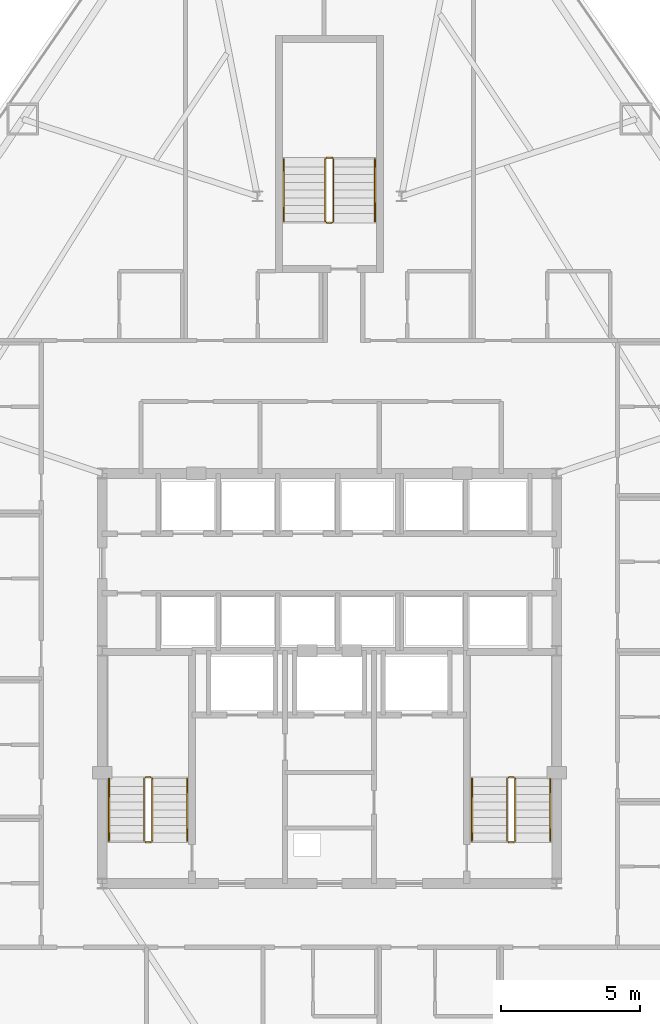
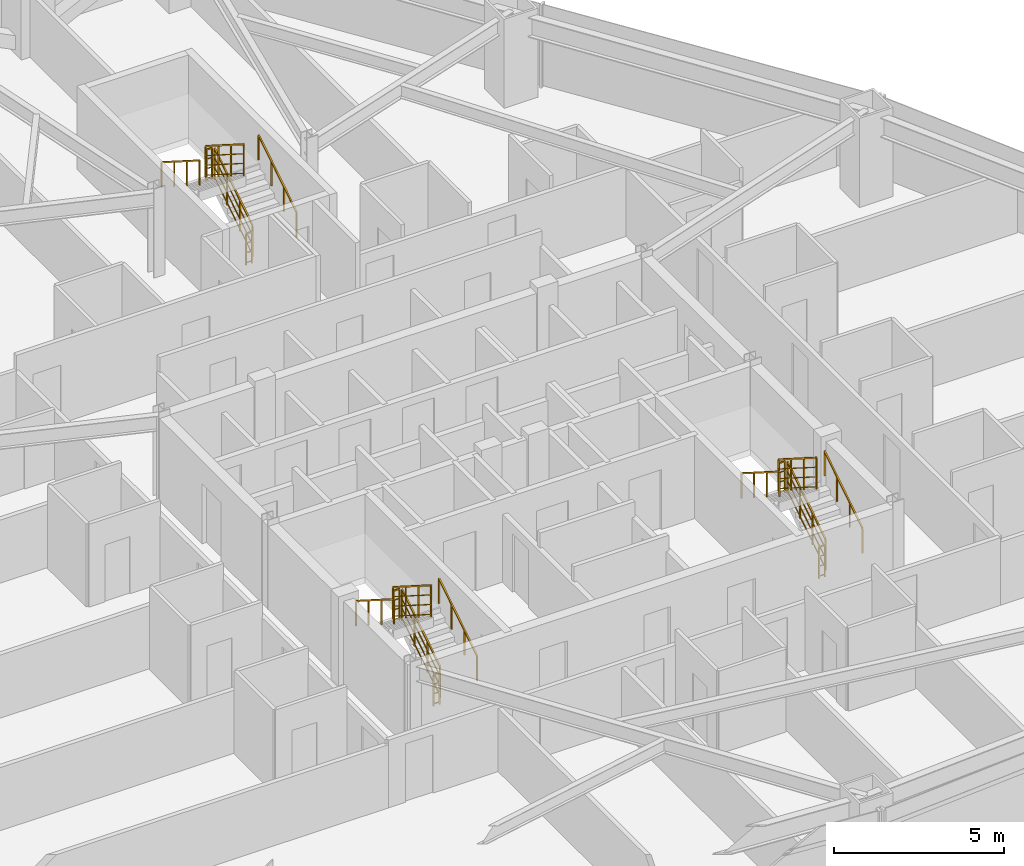
# One storey, part 13 of 13: 18 railings.
"""IFC4 building model written with IfcOpenShell, lengths in metres."""

from ifc_helpers import new_model, si_unit, direction, frame, origin, origin_2d, place, context, subcontext, project, spatial, rectangle, extrude, material, type_object, element, save


model = new_model("IFC4")

# Units and contexts
model_context = context("Model", 3, precision=1e-05, world=origin(), true_north=direction((0.0, 1.0)))
body_context = subcontext(model_context, "Body", "Model", "MODEL_VIEW")
ifc_project = project(units=[si_unit("LENGTHUNIT", "METRE"), si_unit("AREAUNIT", "SQUARE_METRE"), si_unit("VOLUMEUNIT", "CUBIC_METRE"), si_unit("PLANEANGLEUNIT", "RADIAN"), si_unit("MASSUNIT", "GRAM", prefix="KILO")], contexts=[model_context])

# Site, building, storey
site_placement = place(None, origin())
site = spatial("IfcSite", under=ifc_project, at=site_placement, CompositionType="ELEMENT")
building_placement = place(site_placement, origin())
building = spatial("IfcBuilding", under=site, at=building_placement, Name="Varakhsha Concourse Tower", CompositionType="ELEMENT")
storey_placement = place(building_placement, frame((0.0, 0.0, 49.60009765625)))
storey = spatial("IfcBuildingStorey", under=building, at=storey_placement, Name="L13", CompositionType="ELEMENT", Elevation=49.60009765625)

# Railings
ifc_material = material(Name="Brushed Austenitic Stainless Steel AISI 316", Category="steel")
railing_type_1 = type_object("IfcRailingType", Name="RL-STAIR-GUARD-1100", PredefinedType="GUARDRAIL", material=ifc_material)
railing_1_placement = place(storey_placement, frame((33.610107421875, 17.93994140625, 0.177734375)))
element("IfcRailing", 1, at=railing_1_placement, inside=storey, type_object=railing_type_1, Name="L13 ST1 stair guard 1", PredefinedType="GUARDRAIL", context=body_context, shape_type="SweptSolid", body=[
    extrude(rectangle(XDim=0.048095703125, YDim=0.048095703125, at=origin_2d()), frame((0.0, 0.0, 1.1259765625), z_axis=(0.0, 0.8442293374, 0.53598211339), x_axis=(-1.0, 0.0, 0.0)), (0.0, 0.0, 1.0), 2.6533203125),
    extrude(rectangle(XDim=0.028076171875, YDim=0.028076171875, at=origin_2d()), frame((0.0, 0.0, 0.080078125), z_axis=(0.0, 0.8442293374, 0.53598211339), x_axis=(-1.0, 0.0, 0.0)), (0.0, 0.0, 1.0), 2.6533203125),
    extrude(rectangle(XDim=0.028076171875, YDim=0.028076171875, at=origin_2d()), frame((0.0, 0.0, 0.43701171875), z_axis=(0.0, 0.8442293374, 0.53598211339), x_axis=(-1.0, 0.0, 0.0)), (0.0, 0.0, 1.0), 2.6533203125),
    extrude(rectangle(XDim=0.028076171875, YDim=0.028076171875, at=origin_2d()), frame((0.0, 0.0, 0.781982421875), z_axis=(0.0, 0.8442293374, 0.53598211339), x_axis=(-1.0, 0.0, 0.0)), (0.0, 0.0, 1.0), 2.6533203125),
    extrude(rectangle(XDim=0.0419921875, YDim=0.0419921875, at=origin_2d()), origin(), (0.0, 0.0, 1.0), 1.101806640625),
    extrude(rectangle(XDim=0.0419921875, YDim=0.0419921875, at=origin_2d()), frame((0.0, 0.74658203125, 0.47412109375)), (0.0, 0.0, 1.0), 1.101806640625),
    extrude(rectangle(XDim=0.0419921875, YDim=0.0419921875, at=origin_2d()), frame((0.0, 1.493408203125, 0.947998046875)), (0.0, 0.0, 1.0), 1.101806640625),
    extrude(rectangle(XDim=0.0419921875, YDim=0.0419921875, at=origin_2d()), frame((0.0, 2.239990234375, 1.422119140625)), (0.0, 0.0, 1.0), 1.101806640625),
])
railing_2_placement = place(storey_placement, frame((33.56005859375, 20.22998046875, 1.599853515625)))
element("IfcRailing", 2, at=railing_2_placement, inside=storey, type_object=railing_type_1, Name="L13 ST1 stair guard 2", PredefinedType="GUARDRAIL", context=body_context, shape_type="SweptSolid", body=[
    extrude(rectangle(XDim=0.048095703125, YDim=0.048095703125, at=origin_2d()), frame((0.0, 0.0, 1.1259765625), z_axis=(-1.0, 0.0, 0.0), x_axis=(0.0, -1.0, 0.0)), (0.0, 0.0, 1.0), 0.199951171875),
    extrude(rectangle(XDim=0.028076171875, YDim=0.028076171875, at=origin_2d()), frame((0.0, 0.0, 0.080078125), z_axis=(-1.0, 0.0, 0.0), x_axis=(0.0, -1.0, 0.0)), (0.0, 0.0, 1.0), 0.199951171875),
    extrude(rectangle(XDim=0.028076171875, YDim=0.028076171875, at=origin_2d()), frame((0.0, 0.0, 0.43701171875), z_axis=(-1.0, 0.0, 0.0), x_axis=(0.0, -1.0, 0.0)), (0.0, 0.0, 1.0), 0.199951171875),
    extrude(rectangle(XDim=0.028076171875, YDim=0.028076171875, at=origin_2d()), frame((0.0, 0.0, 0.781982421875), z_axis=(-1.0, 0.0, 0.0), x_axis=(0.0, -1.0, 0.0)), (0.0, 0.0, 1.0), 0.199951171875),
    extrude(rectangle(XDim=0.0419921875, YDim=0.0419921875, at=origin_2d()), origin(), (0.0, 0.0, 1.0), 1.101806640625),
    extrude(rectangle(XDim=0.0419921875, YDim=0.0419921875, at=origin_2d()), frame((-0.199951171875, 0.0, 0.0)), (0.0, 0.0, 1.0), 1.101806640625),
])
railing_3_placement = place(storey_placement, frame((33.31005859375, 20.179931640625, 1.777587890625)))
element("IfcRailing", 3, at=railing_3_placement, inside=storey, type_object=railing_type_1, Name="L13 ST1 stair guard 3", PredefinedType="GUARDRAIL", context=body_context, shape_type="SweptSolid", body=[
    extrude(rectangle(XDim=0.048095703125, YDim=0.048095703125, at=origin_2d()), frame((0.0, 0.0, 1.1259765625), z_axis=(0.0, -0.84418770128, 0.536047689118), x_axis=(1.0, 0.0, 0.0)), (0.0, 0.0, 1.0), 2.6533203125),
    extrude(rectangle(XDim=0.028076171875, YDim=0.028076171875, at=origin_2d()), frame((0.0, 0.0, 0.080078125), z_axis=(0.0, -0.84418770128, 0.536047689118), x_axis=(1.0, 0.0, 0.0)), (0.0, 0.0, 1.0), 2.6533203125),
    extrude(rectangle(XDim=0.028076171875, YDim=0.028076171875, at=origin_2d()), frame((0.0, 0.0, 0.43701171875), z_axis=(0.0, -0.84418770128, 0.536047689118), x_axis=(1.0, 0.0, 0.0)), (0.0, 0.0, 1.0), 2.6533203125),
    extrude(rectangle(XDim=0.028076171875, YDim=0.028076171875, at=origin_2d()), frame((0.0, 0.0, 0.781982421875), z_axis=(0.0, -0.84418770128, 0.536047689118), x_axis=(1.0, 0.0, 0.0)), (0.0, 0.0, 1.0), 2.6533203125),
    extrude(rectangle(XDim=0.0419921875, YDim=0.0419921875, at=origin_2d()), origin(), (0.0, 0.0, 1.0), 1.101806640625),
    extrude(rectangle(XDim=0.0419921875, YDim=0.0419921875, at=origin_2d()), frame((0.0, -0.74658203125, 0.47412109375)), (0.0, 0.0, 1.0), 1.101806640625),
    extrude(rectangle(XDim=0.0419921875, YDim=0.0419921875, at=origin_2d()), frame((0.0, -1.493408203125, 0.9482421875)), (0.0, 0.0, 1.0), 1.101806640625),
    extrude(rectangle(XDim=0.0419921875, YDim=0.0419921875, at=origin_2d()), frame((0.0, -2.239990234375, 1.42236328125)), (0.0, 0.0, 1.0), 1.101806640625),
])
railing_4_placement = place(storey_placement, frame((33.56005859375, 17.889892578125, 0.0)))
element("IfcRailing", 4, at=railing_4_placement, inside=storey, type_object=railing_type_1, Name="L13 ST1 stair guard 4", PredefinedType="GUARDRAIL", context=body_context, shape_type="SweptSolid", body=[
    extrude(rectangle(XDim=0.048095703125, YDim=0.048095703125, at=origin_2d()), frame((0.0, 0.0, 1.1259765625), z_axis=(-1.0, 0.0, 0.0), x_axis=(0.0, -1.0, 0.0)), (0.0, 0.0, 1.0), 0.199951171875),
    extrude(rectangle(XDim=0.028076171875, YDim=0.028076171875, at=origin_2d()), frame((0.0, 0.0, 0.080078125), z_axis=(-1.0, 0.0, 0.0), x_axis=(0.0, -1.0, 0.0)), (0.0, 0.0, 1.0), 0.199951171875),
    extrude(rectangle(XDim=0.028076171875, YDim=0.028076171875, at=origin_2d()), frame((0.0, 0.0, 0.43701171875), z_axis=(-1.0, 0.0, 0.0), x_axis=(0.0, -1.0, 0.0)), (0.0, 0.0, 1.0), 0.199951171875),
    extrude(rectangle(XDim=0.028076171875, YDim=0.028076171875, at=origin_2d()), frame((0.0, 0.0, 0.781982421875), z_axis=(-1.0, 0.0, 0.0), x_axis=(0.0, -1.0, 0.0)), (0.0, 0.0, 1.0), 0.199951171875),
    extrude(rectangle(XDim=0.0419921875, YDim=0.0419921875, at=origin_2d()), origin(), (0.0, 0.0, 1.0), 1.101806640625),
    extrude(rectangle(XDim=0.0419921875, YDim=0.0419921875, at=origin_2d()), frame((-0.199951171875, 0.0, 0.0)), (0.0, 0.0, 1.0), 1.101806640625),
])
railing_5_placement = place(storey_placement, frame((46.7099609375, 17.93994140625, 0.177734375)))
element("IfcRailing", 5, at=railing_5_placement, inside=storey, type_object=railing_type_1, Name="L13 ST2 stair guard 1", PredefinedType="GUARDRAIL", context=body_context, shape_type="SweptSolid", body=[
    extrude(rectangle(XDim=0.048095703125, YDim=0.048095703125, at=origin_2d()), frame((0.0, 0.0, 1.1259765625), z_axis=(0.0, 0.8442293374, 0.53598211339), x_axis=(-1.0, 0.0, 0.0)), (0.0, 0.0, 1.0), 2.6533203125),
    extrude(rectangle(XDim=0.028076171875, YDim=0.028076171875, at=origin_2d()), frame((0.0, 0.0, 0.080078125), z_axis=(0.0, 0.8442293374, 0.53598211339), x_axis=(-1.0, 0.0, 0.0)), (0.0, 0.0, 1.0), 2.6533203125),
    extrude(rectangle(XDim=0.028076171875, YDim=0.028076171875, at=origin_2d()), frame((0.0, 0.0, 0.43701171875), z_axis=(0.0, 0.8442293374, 0.53598211339), x_axis=(-1.0, 0.0, 0.0)), (0.0, 0.0, 1.0), 2.6533203125),
    extrude(rectangle(XDim=0.028076171875, YDim=0.028076171875, at=origin_2d()), frame((0.0, 0.0, 0.781982421875), z_axis=(0.0, 0.8442293374, 0.53598211339), x_axis=(-1.0, 0.0, 0.0)), (0.0, 0.0, 1.0), 2.6533203125),
    extrude(rectangle(XDim=0.0419921875, YDim=0.0419921875, at=origin_2d()), origin(), (0.0, 0.0, 1.0), 1.101806640625),
    extrude(rectangle(XDim=0.0419921875, YDim=0.0419921875, at=origin_2d()), frame((0.0, 0.74658203125, 0.47412109375)), (0.0, 0.0, 1.0), 1.101806640625),
    extrude(rectangle(XDim=0.0419921875, YDim=0.0419921875, at=origin_2d()), frame((0.0, 1.493408203125, 0.947998046875)), (0.0, 0.0, 1.0), 1.101806640625),
    extrude(rectangle(XDim=0.0419921875, YDim=0.0419921875, at=origin_2d()), frame((0.0, 2.239990234375, 1.422119140625)), (0.0, 0.0, 1.0), 1.101806640625),
])
railing_6_placement = place(storey_placement, frame((46.659912109375, 20.22998046875, 1.599853515625)))
element("IfcRailing", 6, at=railing_6_placement, inside=storey, type_object=railing_type_1, Name="L13 ST2 stair guard 2", PredefinedType="GUARDRAIL", context=body_context, shape_type="SweptSolid", body=[
    extrude(rectangle(XDim=0.048095703125, YDim=0.048095703125, at=origin_2d()), frame((0.0, 0.0, 1.1259765625), z_axis=(-1.0, 0.0, 0.0), x_axis=(0.0, -1.0, 0.0)), (0.0, 0.0, 1.0), 0.199951171875),
    extrude(rectangle(XDim=0.028076171875, YDim=0.028076171875, at=origin_2d()), frame((0.0, 0.0, 0.080078125), z_axis=(-1.0, 0.0, 0.0), x_axis=(0.0, -1.0, 0.0)), (0.0, 0.0, 1.0), 0.199951171875),
    extrude(rectangle(XDim=0.028076171875, YDim=0.028076171875, at=origin_2d()), frame((0.0, 0.0, 0.43701171875), z_axis=(-1.0, 0.0, 0.0), x_axis=(0.0, -1.0, 0.0)), (0.0, 0.0, 1.0), 0.199951171875),
    extrude(rectangle(XDim=0.028076171875, YDim=0.028076171875, at=origin_2d()), frame((0.0, 0.0, 0.781982421875), z_axis=(-1.0, 0.0, 0.0), x_axis=(0.0, -1.0, 0.0)), (0.0, 0.0, 1.0), 0.199951171875),
    extrude(rectangle(XDim=0.0419921875, YDim=0.0419921875, at=origin_2d()), origin(), (0.0, 0.0, 1.0), 1.101806640625),
    extrude(rectangle(XDim=0.0419921875, YDim=0.0419921875, at=origin_2d()), frame((-0.199951171875, 0.0, 0.0)), (0.0, 0.0, 1.0), 1.101806640625),
])
railing_7_placement = place(storey_placement, frame((46.409912109375, 20.179931640625, 1.777587890625)))
element("IfcRailing", 7, at=railing_7_placement, inside=storey, type_object=railing_type_1, Name="L13 ST2 stair guard 3", PredefinedType="GUARDRAIL", context=body_context, shape_type="SweptSolid", body=[
    extrude(rectangle(XDim=0.048095703125, YDim=0.048095703125, at=origin_2d()), frame((0.0, 0.0, 1.1259765625), z_axis=(0.0, -0.84418770128, 0.536047689118), x_axis=(1.0, 0.0, 0.0)), (0.0, 0.0, 1.0), 2.6533203125),
    extrude(rectangle(XDim=0.028076171875, YDim=0.028076171875, at=origin_2d()), frame((0.0, 0.0, 0.080078125), z_axis=(0.0, -0.84418770128, 0.536047689118), x_axis=(1.0, 0.0, 0.0)), (0.0, 0.0, 1.0), 2.6533203125),
    extrude(rectangle(XDim=0.028076171875, YDim=0.028076171875, at=origin_2d()), frame((0.0, 0.0, 0.43701171875), z_axis=(0.0, -0.84418770128, 0.536047689118), x_axis=(1.0, 0.0, 0.0)), (0.0, 0.0, 1.0), 2.6533203125),
    extrude(rectangle(XDim=0.028076171875, YDim=0.028076171875, at=origin_2d()), frame((0.0, 0.0, 0.781982421875), z_axis=(0.0, -0.84418770128, 0.536047689118), x_axis=(1.0, 0.0, 0.0)), (0.0, 0.0, 1.0), 2.6533203125),
    extrude(rectangle(XDim=0.0419921875, YDim=0.0419921875, at=origin_2d()), origin(), (0.0, 0.0, 1.0), 1.101806640625),
    extrude(rectangle(XDim=0.0419921875, YDim=0.0419921875, at=origin_2d()), frame((0.0, -0.74658203125, 0.47412109375)), (0.0, 0.0, 1.0), 1.101806640625),
    extrude(rectangle(XDim=0.0419921875, YDim=0.0419921875, at=origin_2d()), frame((0.0, -1.493408203125, 0.9482421875)), (0.0, 0.0, 1.0), 1.101806640625),
    extrude(rectangle(XDim=0.0419921875, YDim=0.0419921875, at=origin_2d()), frame((0.0, -2.239990234375, 1.42236328125)), (0.0, 0.0, 1.0), 1.101806640625),
])
railing_8_placement = place(storey_placement, frame((46.659912109375, 17.889892578125, 0.0)))
element("IfcRailing", 8, at=railing_8_placement, inside=storey, type_object=railing_type_1, Name="L13 ST2 stair guard 4", PredefinedType="GUARDRAIL", context=body_context, shape_type="SweptSolid", body=[
    extrude(rectangle(XDim=0.048095703125, YDim=0.048095703125, at=origin_2d()), frame((0.0, 0.0, 1.1259765625), z_axis=(-1.0, 0.0, 0.0), x_axis=(0.0, -1.0, 0.0)), (0.0, 0.0, 1.0), 0.199951171875),
    extrude(rectangle(XDim=0.028076171875, YDim=0.028076171875, at=origin_2d()), frame((0.0, 0.0, 0.080078125), z_axis=(-1.0, 0.0, 0.0), x_axis=(0.0, -1.0, 0.0)), (0.0, 0.0, 1.0), 0.199951171875),
    extrude(rectangle(XDim=0.028076171875, YDim=0.028076171875, at=origin_2d()), frame((0.0, 0.0, 0.43701171875), z_axis=(-1.0, 0.0, 0.0), x_axis=(0.0, -1.0, 0.0)), (0.0, 0.0, 1.0), 0.199951171875),
    extrude(rectangle(XDim=0.028076171875, YDim=0.028076171875, at=origin_2d()), frame((0.0, 0.0, 0.781982421875), z_axis=(-1.0, 0.0, 0.0), x_axis=(0.0, -1.0, 0.0)), (0.0, 0.0, 1.0), 0.199951171875),
    extrude(rectangle(XDim=0.0419921875, YDim=0.0419921875, at=origin_2d()), origin(), (0.0, 0.0, 1.0), 1.101806640625),
    extrude(rectangle(XDim=0.0419921875, YDim=0.0419921875, at=origin_2d()), frame((-0.199951171875, 0.0, 0.0)), (0.0, 0.0, 1.0), 1.101806640625),
])
railing_9_placement = place(storey_placement, frame((40.14990234375, 40.300048828125, 0.177734375)))
element("IfcRailing", 9, at=railing_9_placement, inside=storey, type_object=railing_type_1, Name="L13 ST5 stair guard 1", PredefinedType="GUARDRAIL", context=body_context, shape_type="SweptSolid", body=[
    extrude(rectangle(XDim=0.048095703125, YDim=0.048095703125, at=origin_2d()), frame((0.0, 0.0, 1.1259765625), z_axis=(0.0, 0.8442293374, 0.53598211339), x_axis=(-1.0, 0.0, 0.0)), (0.0, 0.0, 1.0), 2.6533203125),
    extrude(rectangle(XDim=0.028076171875, YDim=0.028076171875, at=origin_2d()), frame((0.0, 0.0, 0.080078125), z_axis=(0.0, 0.8442293374, 0.53598211339), x_axis=(-1.0, 0.0, 0.0)), (0.0, 0.0, 1.0), 2.6533203125),
    extrude(rectangle(XDim=0.028076171875, YDim=0.028076171875, at=origin_2d()), frame((0.0, 0.0, 0.43701171875), z_axis=(0.0, 0.8442293374, 0.53598211339), x_axis=(-1.0, 0.0, 0.0)), (0.0, 0.0, 1.0), 2.6533203125),
    extrude(rectangle(XDim=0.028076171875, YDim=0.028076171875, at=origin_2d()), frame((0.0, 0.0, 0.781982421875), z_axis=(0.0, 0.8442293374, 0.53598211339), x_axis=(-1.0, 0.0, 0.0)), (0.0, 0.0, 1.0), 2.6533203125),
    extrude(rectangle(XDim=0.0419921875, YDim=0.0419921875, at=origin_2d()), origin(), (0.0, 0.0, 1.0), 1.101806640625),
    extrude(rectangle(XDim=0.0419921875, YDim=0.0419921875, at=origin_2d()), frame((0.0, 0.74658203125, 0.47412109375)), (0.0, 0.0, 1.0), 1.101806640625),
    extrude(rectangle(XDim=0.0419921875, YDim=0.0419921875, at=origin_2d()), frame((0.0, 1.493408203125, 0.947998046875)), (0.0, 0.0, 1.0), 1.101806640625),
    extrude(rectangle(XDim=0.0419921875, YDim=0.0419921875, at=origin_2d()), frame((0.0, 2.239990234375, 1.422119140625)), (0.0, 0.0, 1.0), 1.101806640625),
])
railing_10_placement = place(storey_placement, frame((40.10009765625, 42.590087890625, 1.599853515625)))
element("IfcRailing", 10, at=railing_10_placement, inside=storey, type_object=railing_type_1, Name="L13 ST5 stair guard 2", PredefinedType="GUARDRAIL", context=body_context, shape_type="SweptSolid", body=[
    extrude(rectangle(XDim=0.048095703125, YDim=0.048095703125, at=origin_2d()), frame((0.0, 0.0, 1.1259765625), z_axis=(-1.0, 0.0, 0.0), x_axis=(0.0, -1.0, 0.0)), (0.0, 0.0, 1.0), 0.2001953125),
    extrude(rectangle(XDim=0.028076171875, YDim=0.028076171875, at=origin_2d()), frame((0.0, 0.0, 0.080078125), z_axis=(-1.0, 0.0, 0.0), x_axis=(0.0, -1.0, 0.0)), (0.0, 0.0, 1.0), 0.2001953125),
    extrude(rectangle(XDim=0.028076171875, YDim=0.028076171875, at=origin_2d()), frame((0.0, 0.0, 0.43701171875), z_axis=(-1.0, 0.0, 0.0), x_axis=(0.0, -1.0, 0.0)), (0.0, 0.0, 1.0), 0.2001953125),
    extrude(rectangle(XDim=0.028076171875, YDim=0.028076171875, at=origin_2d()), frame((0.0, 0.0, 0.781982421875), z_axis=(-1.0, 0.0, 0.0), x_axis=(0.0, -1.0, 0.0)), (0.0, 0.0, 1.0), 0.2001953125),
    extrude(rectangle(XDim=0.0419921875, YDim=0.0419921875, at=origin_2d()), origin(), (0.0, 0.0, 1.0), 1.101806640625),
    extrude(rectangle(XDim=0.0419921875, YDim=0.0419921875, at=origin_2d()), frame((-0.2001953125, 0.0, 0.0)), (0.0, 0.0, 1.0), 1.101806640625),
])
railing_11_placement = place(storey_placement, frame((39.85009765625, 42.5400390625, 1.777587890625)))
element("IfcRailing", 11, at=railing_11_placement, inside=storey, type_object=railing_type_1, Name="L13 ST5 stair guard 3", PredefinedType="GUARDRAIL", context=body_context, shape_type="SweptSolid", body=[
    extrude(rectangle(XDim=0.048095703125, YDim=0.048095703125, at=origin_2d()), frame((0.0, 0.0, 1.1259765625), z_axis=(0.0, -0.84418770128, 0.536047689118), x_axis=(1.0, 0.0, 0.0)), (0.0, 0.0, 1.0), 2.6533203125),
    extrude(rectangle(XDim=0.028076171875, YDim=0.028076171875, at=origin_2d()), frame((0.0, 0.0, 0.080078125), z_axis=(0.0, -0.84418770128, 0.536047689118), x_axis=(1.0, 0.0, 0.0)), (0.0, 0.0, 1.0), 2.6533203125),
    extrude(rectangle(XDim=0.028076171875, YDim=0.028076171875, at=origin_2d()), frame((0.0, 0.0, 0.43701171875), z_axis=(0.0, -0.84418770128, 0.536047689118), x_axis=(1.0, 0.0, 0.0)), (0.0, 0.0, 1.0), 2.6533203125),
    extrude(rectangle(XDim=0.028076171875, YDim=0.028076171875, at=origin_2d()), frame((0.0, 0.0, 0.781982421875), z_axis=(0.0, -0.84418770128, 0.536047689118), x_axis=(1.0, 0.0, 0.0)), (0.0, 0.0, 1.0), 2.6533203125),
    extrude(rectangle(XDim=0.0419921875, YDim=0.0419921875, at=origin_2d()), origin(), (0.0, 0.0, 1.0), 1.101806640625),
    extrude(rectangle(XDim=0.0419921875, YDim=0.0419921875, at=origin_2d()), frame((0.0, -0.74658203125, 0.47412109375)), (0.0, 0.0, 1.0), 1.101806640625),
    extrude(rectangle(XDim=0.0419921875, YDim=0.0419921875, at=origin_2d()), frame((0.0, -1.493408203125, 0.9482421875)), (0.0, 0.0, 1.0), 1.101806640625),
    extrude(rectangle(XDim=0.0419921875, YDim=0.0419921875, at=origin_2d()), frame((0.0, -2.239990234375, 1.42236328125)), (0.0, 0.0, 1.0), 1.101806640625),
])
railing_12_placement = place(storey_placement, frame((40.10009765625, 40.25, 0.0)))
element("IfcRailing", 12, at=railing_12_placement, inside=storey, type_object=railing_type_1, Name="L13 ST5 stair guard 4", PredefinedType="GUARDRAIL", context=body_context, shape_type="SweptSolid", body=[
    extrude(rectangle(XDim=0.048095703125, YDim=0.048095703125, at=origin_2d()), frame((0.0, 0.0, 1.1259765625), z_axis=(-1.0, 0.0, 0.0), x_axis=(0.0, -1.0, 0.0)), (0.0, 0.0, 1.0), 0.2001953125),
    extrude(rectangle(XDim=0.028076171875, YDim=0.028076171875, at=origin_2d()), frame((0.0, 0.0, 0.080078125), z_axis=(-1.0, 0.0, 0.0), x_axis=(0.0, -1.0, 0.0)), (0.0, 0.0, 1.0), 0.2001953125),
    extrude(rectangle(XDim=0.028076171875, YDim=0.028076171875, at=origin_2d()), frame((0.0, 0.0, 0.43701171875), z_axis=(-1.0, 0.0, 0.0), x_axis=(0.0, -1.0, 0.0)), (0.0, 0.0, 1.0), 0.2001953125),
    extrude(rectangle(XDim=0.028076171875, YDim=0.028076171875, at=origin_2d()), frame((0.0, 0.0, 0.781982421875), z_axis=(-1.0, 0.0, 0.0), x_axis=(0.0, -1.0, 0.0)), (0.0, 0.0, 1.0), 0.2001953125),
    extrude(rectangle(XDim=0.0419921875, YDim=0.0419921875, at=origin_2d()), origin(), (0.0, 0.0, 1.0), 1.101806640625),
    extrude(rectangle(XDim=0.0419921875, YDim=0.0419921875, at=origin_2d()), frame((-0.2001953125, 0.0, 0.0)), (0.0, 0.0, 1.0), 1.101806640625),
])
railing_type_2 = type_object("IfcRailingType", Name="RL-STAIR-RAIL-915", PredefinedType="HANDRAIL", material=ifc_material)
railing_13_placement = place(storey_placement, frame((34.8701171875, 17.93994140625, 0.35546875)))
element("IfcRailing", 13, at=railing_13_placement, inside=storey, type_object=railing_type_2, Name="L13 ST1 stair handrail 1", PredefinedType="HANDRAIL", context=body_context, shape_type="SweptSolid", body=[
    extrude(rectangle(XDim=0.048095703125, YDim=0.048095703125, at=origin_2d()), frame((0.0, 0.0, 0.89111328125), z_axis=(0.0, 0.8442293374, 0.53598211339), x_axis=(-1.0, 0.0, 0.0)), (0.0, 0.0, 1.0), 2.6533203125),
    extrude(rectangle(XDim=0.0419921875, YDim=0.0419921875, at=origin_2d()), origin(), (0.0, 0.0, 1.0), 0.866943359375),
    extrude(rectangle(XDim=0.0419921875, YDim=0.0419921875, at=origin_2d()), frame((0.0, 0.74658203125, 0.47412109375)), (0.0, 0.0, 1.0), 0.866943359375),
    extrude(rectangle(XDim=0.0419921875, YDim=0.0419921875, at=origin_2d()), frame((0.0, 1.493408203125, 0.947998046875)), (0.0, 0.0, 1.0), 0.866943359375),
    extrude(rectangle(XDim=0.0419921875, YDim=0.0419921875, at=origin_2d()), frame((0.0, 2.239990234375, 1.422119140625)), (0.0, 0.0, 1.0), 0.866943359375),
])
railing_14_placement = place(storey_placement, frame((32.050048828125, 20.179931640625, 1.95556640625)))
element("IfcRailing", 14, at=railing_14_placement, inside=storey, type_object=railing_type_2, Name="L13 ST1 stair handrail 2", PredefinedType="HANDRAIL", context=body_context, shape_type="SweptSolid", body=[
    extrude(rectangle(XDim=0.048095703125, YDim=0.048095703125, at=origin_2d()), frame((0.0, 0.0, 0.89111328125), z_axis=(0.0, -0.8442293374, 0.53598211339), x_axis=(1.0, 0.0, 0.0)), (0.0, 0.0, 1.0), 2.6533203125),
    extrude(rectangle(XDim=0.0419921875, YDim=0.0419921875, at=origin_2d()), origin(), (0.0, 0.0, 1.0), 0.866943359375),
    extrude(rectangle(XDim=0.0419921875, YDim=0.0419921875, at=origin_2d()), frame((0.0, -0.74658203125, 0.47412109375)), (0.0, 0.0, 1.0), 0.866943359375),
    extrude(rectangle(XDim=0.0419921875, YDim=0.0419921875, at=origin_2d()), frame((0.0, -1.493408203125, 0.947998046875)), (0.0, 0.0, 1.0), 0.866943359375),
    extrude(rectangle(XDim=0.0419921875, YDim=0.0419921875, at=origin_2d()), frame((0.0, -2.239990234375, 1.422119140625)), (0.0, 0.0, 1.0), 0.866943359375),
])
railing_15_placement = place(storey_placement, frame((47.969970703125, 17.93994140625, 0.35546875)))
element("IfcRailing", 15, at=railing_15_placement, inside=storey, type_object=railing_type_2, Name="L13 ST2 stair handrail 1", PredefinedType="HANDRAIL", context=body_context, shape_type="SweptSolid", body=[
    extrude(rectangle(XDim=0.048095703125, YDim=0.048095703125, at=origin_2d()), frame((0.0, 0.0, 0.89111328125), z_axis=(0.0, 0.8442293374, 0.53598211339), x_axis=(-1.0, 0.0, 0.0)), (0.0, 0.0, 1.0), 2.6533203125),
    extrude(rectangle(XDim=0.0419921875, YDim=0.0419921875, at=origin_2d()), origin(), (0.0, 0.0, 1.0), 0.866943359375),
    extrude(rectangle(XDim=0.0419921875, YDim=0.0419921875, at=origin_2d()), frame((0.0, 0.74658203125, 0.47412109375)), (0.0, 0.0, 1.0), 0.866943359375),
    extrude(rectangle(XDim=0.0419921875, YDim=0.0419921875, at=origin_2d()), frame((0.0, 1.493408203125, 0.947998046875)), (0.0, 0.0, 1.0), 0.866943359375),
    extrude(rectangle(XDim=0.0419921875, YDim=0.0419921875, at=origin_2d()), frame((0.0, 2.239990234375, 1.422119140625)), (0.0, 0.0, 1.0), 0.866943359375),
])
railing_16_placement = place(storey_placement, frame((45.14990234375, 20.179931640625, 1.95556640625)))
element("IfcRailing", 16, at=railing_16_placement, inside=storey, type_object=railing_type_2, Name="L13 ST2 stair handrail 2", PredefinedType="HANDRAIL", context=body_context, shape_type="SweptSolid", body=[
    extrude(rectangle(XDim=0.048095703125, YDim=0.048095703125, at=origin_2d()), frame((0.0, 0.0, 0.89111328125), z_axis=(0.0, -0.8442293374, 0.53598211339), x_axis=(1.0, 0.0, 0.0)), (0.0, 0.0, 1.0), 2.6533203125),
    extrude(rectangle(XDim=0.0419921875, YDim=0.0419921875, at=origin_2d()), origin(), (0.0, 0.0, 1.0), 0.866943359375),
    extrude(rectangle(XDim=0.0419921875, YDim=0.0419921875, at=origin_2d()), frame((0.0, -0.74658203125, 0.47412109375)), (0.0, 0.0, 1.0), 0.866943359375),
    extrude(rectangle(XDim=0.0419921875, YDim=0.0419921875, at=origin_2d()), frame((0.0, -1.493408203125, 0.947998046875)), (0.0, 0.0, 1.0), 0.866943359375),
    extrude(rectangle(XDim=0.0419921875, YDim=0.0419921875, at=origin_2d()), frame((0.0, -2.239990234375, 1.422119140625)), (0.0, 0.0, 1.0), 0.866943359375),
])
railing_17_placement = place(storey_placement, frame((41.64990234375, 40.300048828125, 0.35546875)))
element("IfcRailing", 17, at=railing_17_placement, inside=storey, type_object=railing_type_2, Name="L13 ST5 stair handrail 1", PredefinedType="HANDRAIL", context=body_context, shape_type="SweptSolid", body=[
    extrude(rectangle(XDim=0.048095703125, YDim=0.048095703125, at=origin_2d()), frame((0.0, 0.0, 0.89111328125), z_axis=(0.0, 0.8442293374, 0.53598211339), x_axis=(-1.0, 0.0, 0.0)), (0.0, 0.0, 1.0), 2.6533203125),
    extrude(rectangle(XDim=0.0419921875, YDim=0.0419921875, at=origin_2d()), origin(), (0.0, 0.0, 1.0), 0.866943359375),
    extrude(rectangle(XDim=0.0419921875, YDim=0.0419921875, at=origin_2d()), frame((0.0, 0.74658203125, 0.47412109375)), (0.0, 0.0, 1.0), 0.866943359375),
    extrude(rectangle(XDim=0.0419921875, YDim=0.0419921875, at=origin_2d()), frame((0.0, 1.493408203125, 0.947998046875)), (0.0, 0.0, 1.0), 0.866943359375),
    extrude(rectangle(XDim=0.0419921875, YDim=0.0419921875, at=origin_2d()), frame((0.0, 2.239990234375, 1.422119140625)), (0.0, 0.0, 1.0), 0.866943359375),
])
railing_18_placement = place(storey_placement, frame((38.35009765625, 42.5400390625, 1.95556640625)))
element("IfcRailing", 18, at=railing_18_placement, inside=storey, type_object=railing_type_2, Name="L13 ST5 stair handrail 2", PredefinedType="HANDRAIL", context=body_context, shape_type="SweptSolid", body=[
    extrude(rectangle(XDim=0.048095703125, YDim=0.048095703125, at=origin_2d()), frame((0.0, 0.0, 0.89111328125), z_axis=(0.0, -0.8442293374, 0.53598211339), x_axis=(1.0, 0.0, 0.0)), (0.0, 0.0, 1.0), 2.6533203125),
    extrude(rectangle(XDim=0.0419921875, YDim=0.0419921875, at=origin_2d()), origin(), (0.0, 0.0, 1.0), 0.866943359375),
    extrude(rectangle(XDim=0.0419921875, YDim=0.0419921875, at=origin_2d()), frame((0.0, -0.74658203125, 0.47412109375)), (0.0, 0.0, 1.0), 0.866943359375),
    extrude(rectangle(XDim=0.0419921875, YDim=0.0419921875, at=origin_2d()), frame((0.0, -1.493408203125, 0.947998046875)), (0.0, 0.0, 1.0), 0.866943359375),
    extrude(rectangle(XDim=0.0419921875, YDim=0.0419921875, at=origin_2d()), frame((0.0, -2.239990234375, 1.422119140625)), (0.0, 0.0, 1.0), 0.866943359375),
])

save(model, "model.ifc")
